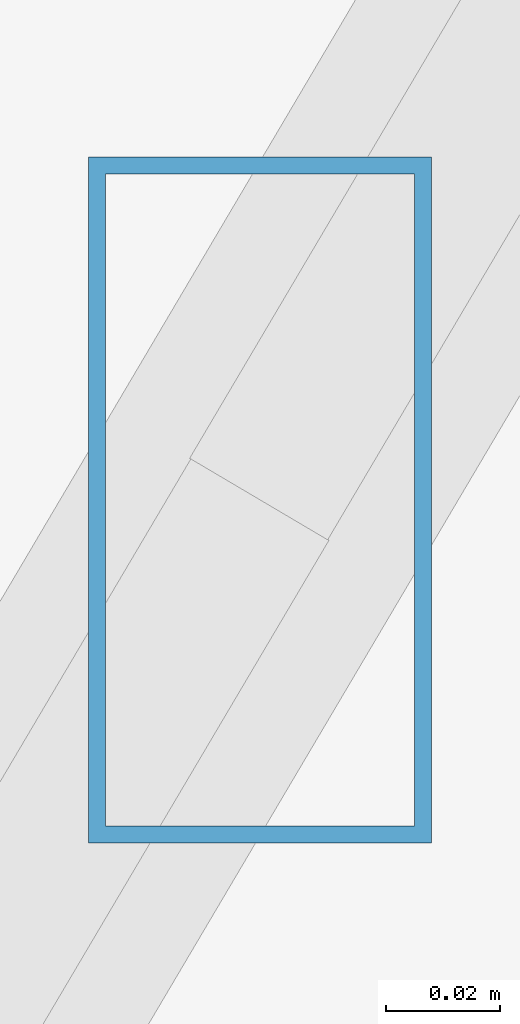
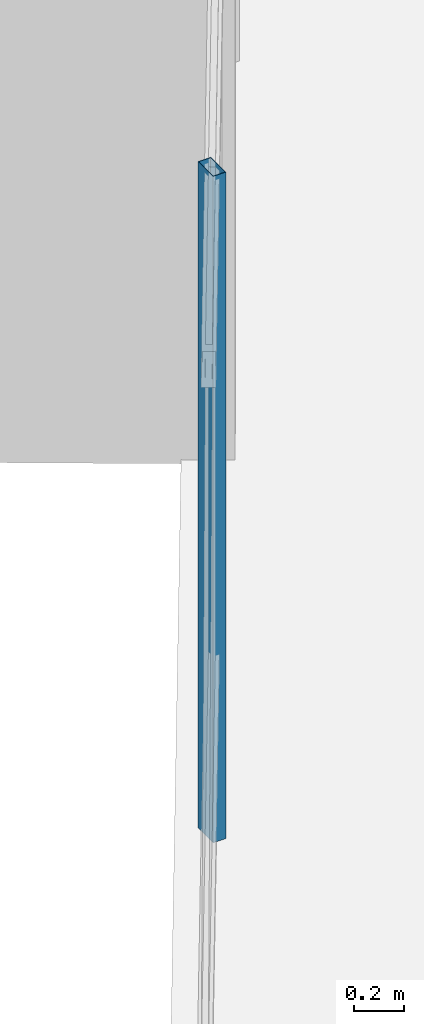
# One storey, part 7 of 44: 1 member, 1 element without a shape of its own.
"""IFC4 building model written with IfcOpenShell, lengths in metres."""

from ifc_helpers import new_model, si_unit, direction, frame, origin, origin_2d, place, context, subcontext, project, spatial, hollow_rectangle, extrude, source, transform, mapped, material, material_profile, profile_set, type_object, type_shapes, element, aggregate, save


model = new_model("IFC4")

# Units and contexts
model_context = context("Model", 3, precision=1e-05, world=origin(), true_north=direction((0.0, 1.0)))
body_context = subcontext(model_context, "Body", "Model", "MODEL_VIEW")
ifc_project = project(units=[si_unit("LENGTHUNIT", "METRE"), si_unit("AREAUNIT", "SQUARE_METRE"), si_unit("VOLUMEUNIT", "CUBIC_METRE"), si_unit("PLANEANGLEUNIT", "RADIAN"), si_unit("MASSUNIT", "GRAM", prefix="KILO")], contexts=[model_context])

# Site, building, storey
site_placement = place(None, origin())
site = spatial("IfcSite", under=ifc_project, at=site_placement, CompositionType="ELEMENT")
building_placement = place(site_placement, origin())
building = spatial("IfcBuilding", under=site, at=building_placement, Name="Caelisora Broadcast Tower", CompositionType="ELEMENT")
storey_placement = place(building_placement, frame((0.0, 0.0, 280.949951171875)))
storey = spatial("IfcBuildingStorey", under=building, at=storey_placement, Name="L74", CompositionType="ELEMENT", Elevation=280.949951171875)

# Curtain wall, member
ifc_material_1 = material(Name="Unitised Aluminium and Low-E Glass Curtain Wall", Category="glass")
curtain_wall_type = type_object("IfcCurtainWallType", Name="CW-Z5", PredefinedType="NOTDEFINED", material=ifc_material_1)
curtain_wall_placement = place(storey_placement, origin())
curtain_wall = element("IfcCurtainWall", 1, at=curtain_wall_placement, inside=storey, type_object=curtain_wall_type, Name="L74 curtain wall CW-Z5", PredefinedType="NOTDEFINED")
ifc_material_2 = material(Name="Aluminium 6063-T6 Anodised Terracotta Bronze", Category="aluminium")
ifc_material_profile = material_profile(ifc_material_2, hollow_rectangle(XDim=0.06005859375, YDim=0.1201171875, WallThickness=0.0029296875, at=origin_2d()), Name="Aluminium 6063-T6 Anodised Terracotta Bronze")
ifc_profile_set = profile_set([ifc_material_profile], Name="Aluminium 6063-T6 Anodised Terracotta Bronze")
member_type = type_object("IfcMemberType", Name="CWM-04", PredefinedType="MULLION", material=ifc_profile_set)
shared_shape = source(origin(), body_context, "Body", "SweptSolid", [
    extrude(hollow_rectangle(XDim=0.06005859375, YDim=0.1201171875, WallThickness=0.0029296875, at=origin_2d()), origin(), (0.0, 0.0, 1.0), 3.25),
])
type_shapes(member_type, [shared_shape])
member_placement = place(storey_placement, frame((15.570068359375, 16.81689453125, 0.0), z_axis=(0.0, 0.0, 1.0), x_axis=(1.0, 0.0, 0.0)))
member = element("IfcMember", 2, at=member_placement, type_object=member_type, Name="L74-CW-B09 mullion #1", PredefinedType="MULLION", context=body_context, shape_type="MappedRepresentation", body=[
    mapped(shared_shape, transform((0.0, 0.0, 0.0), scale=1.0)),
])
aggregate(curtain_wall, [member])

save(model, "model.ifc")
